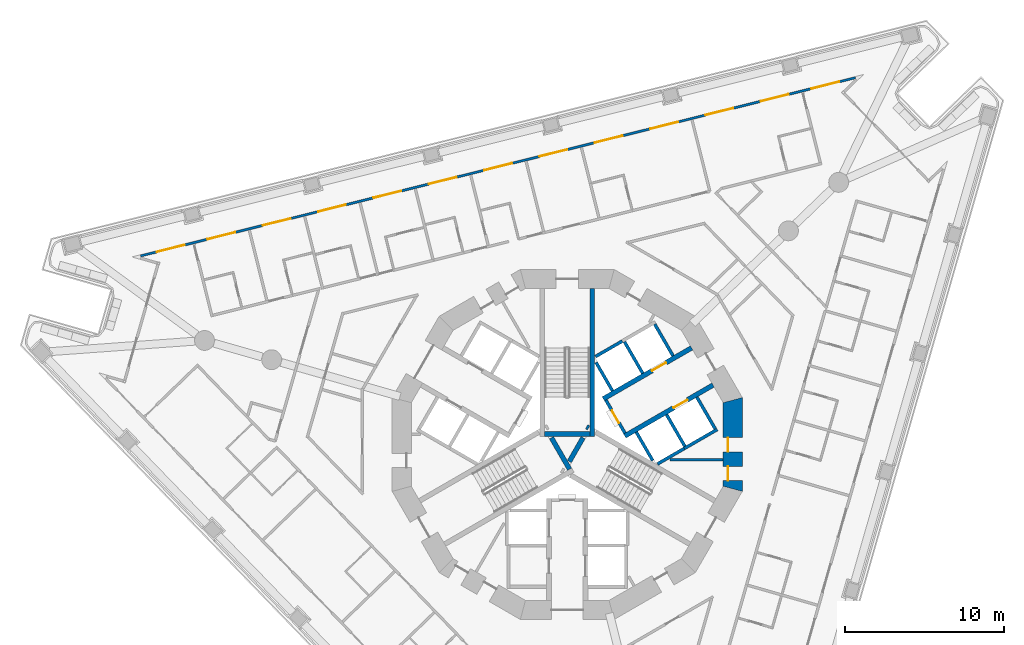
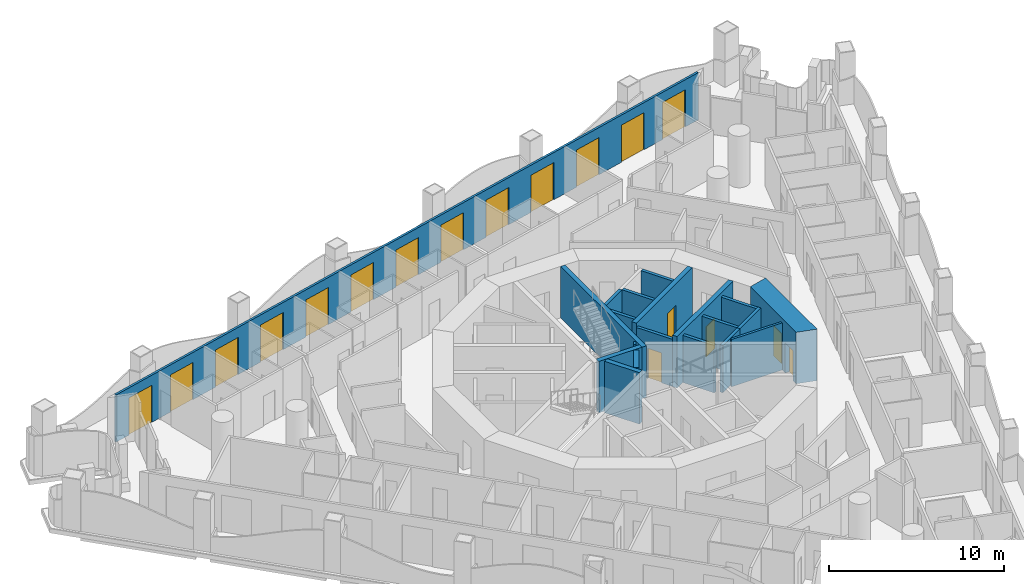
# One storey, part 9 of 20: 20 walls, 18 doors, 18 openings.
"""IFC4 building model written with IfcOpenShell, lengths in metres."""

from ifc_helpers import new_model, si_unit, direction, frame, frame_2d, origin, place, context, subcontext, project, spatial, polyline, rectangle, outline, extrude, material, layer, layer_set, type_object, element, fill, save


model = new_model("IFC4")

# Units and contexts
model_context = context("Model", 3, precision=1e-05, world=origin(), true_north=direction((0.0, 1.0)))
body_context = subcontext(model_context, "Body", "Model", "MODEL_VIEW")
ifc_project = project(units=[si_unit("LENGTHUNIT", "METRE"), si_unit("AREAUNIT", "SQUARE_METRE"), si_unit("VOLUMEUNIT", "CUBIC_METRE"), si_unit("PLANEANGLEUNIT", "RADIAN"), si_unit("MASSUNIT", "GRAM", prefix="KILO")], contexts=[model_context])

# Site, building, storey
site_placement = place(None, origin())
site = spatial("IfcSite", under=ifc_project, at=site_placement, CompositionType="ELEMENT")
building_placement = place(site_placement, origin())
building = spatial("IfcBuilding", under=site, at=building_placement, Name="Trine Commons Tower", CompositionType="ELEMENT")
storey_placement = place(building_placement, frame((0.0, 0.0, 112.5)))
storey = spatial("IfcBuildingStorey", under=building, at=storey_placement, Name="L28", CompositionType="ELEMENT", Elevation=112.5)

# Wall
ifc_material_1 = material(Name="Plasterboard partition on steel studs", Category="steel")
ifc_layer_1 = layer(ifc_material_1, 0.14990234375)
ifc_layer_set_1 = layer_set([ifc_layer_1], Name="Plasterboard partition on steel studs")
wall_type_1 = type_object("IfcWallType", Name="Core room partition 150 mm, EI 60", PredefinedType="PARTITIONING", material=ifc_layer_set_1)
wall_1_placement = place(storey_placement, frame((89.81201171875, 61.537109375, 0.0), z_axis=(0.0, 0.0, 1.0), x_axis=(-1.0, 0.0, 0.0)))
element("IfcWall", 1, at=wall_1_placement, inside=storey, type_object=wall_type_1, Name="Core room partition L28", PredefinedType="PARTITIONING", context=body_context, shape_type="SweptSolid", body=[
    extrude(rectangle(XDim=3.35107421875, YDim=0.14990234375, at=frame_2d((1.675537109375, 0.0))), origin(), (0.0, 0.0, 1.0), 3.300048828125),
])

# Wall, openings, doors
ifc_material_2 = material(Name="Aluminium-framed insulated wall panel", Category="aluminium")
ifc_layer_2 = layer(ifc_material_2, 0.14990234375)
ifc_layer_set_2 = layer_set([ifc_layer_2], Name="Aluminium-framed insulated wall panel")
wall_type_2 = type_object("IfcWallType", Name="Glazed frame wall 150, EI 60", PredefinedType="SOLIDWALL", material=ifc_layer_set_2)
wall_2_placement = place(storey_placement, frame((53.01416015625, 74.326904296875, 0.0), z_axis=(0.0, 0.0, 1.0), x_axis=(0.970295935704, 0.24192105563, 0.0)))
wall_2 = element("IfcWall", 2, at=wall_2_placement, inside=storey, type_object=wall_type_2, Name="Glazed frame wall F1", PredefinedType="SOLIDWALL", context=body_context, shape_type="SweptSolid", body=[
    extrude(outline(polyline([(0.1494140625, 0.074951171875), (0.1494140625, -0.074951171875), (46.496826171875, -0.074951171875), (46.496826171875, 0.074951171875), (0.1494140625, 0.074951171875)])), origin(), (0.0, 0.0, 1.0), 3.300048828125),
])
opening_1_placement = place(wall_2_placement, frame((1.194091796875, 0.0, 0.0)))
opening_1 = element("IfcOpeningElement", 3, at=opening_1_placement, cuts=wall_2, Name="Opening BD-3F1-01", PredefinedType="OPENING", context=body_context, shape_type="SweptSolid", body=[
    extrude(rectangle(XDim=1.800048828125, YDim=2.60009765625, at=frame_2d((0.89990234375, 1.300048828125))), frame((0.0, 0.0849609375, 0.0), z_axis=(0.0, -1.0, 0.0), x_axis=(1.0, 0.0, 0.0)), (0.0, 0.0, 1.0), 0.169921875),
])
opening_2_placement = place(wall_2_placement, frame((4.482421875, 0.0, 0.0)))
opening_2 = element("IfcOpeningElement", 4, at=opening_2_placement, cuts=wall_2, Name="Opening BD-3F1-02", PredefinedType="OPENING", context=body_context, shape_type="SweptSolid", body=[
    extrude(rectangle(XDim=1.800048828125, YDim=2.60009765625, at=frame_2d((0.89990234375, 1.300048828125))), frame((0.0, 0.0849609375, 0.0), z_axis=(0.0, -1.0, 0.0), x_axis=(1.0, 0.0, 0.0)), (0.0, 0.0, 1.0), 0.169921875),
])
opening_3_placement = place(wall_2_placement, frame((8.070556640625, 0.0, 0.0)))
opening_3 = element("IfcOpeningElement", 5, at=opening_3_placement, cuts=wall_2, Name="Opening BD-3F1-03", PredefinedType="OPENING", context=body_context, shape_type="SweptSolid", body=[
    extrude(rectangle(XDim=1.800048828125, YDim=2.60009765625, at=frame_2d((0.89990234375, 1.300048828125))), frame((0.0, 0.0849609375, 0.0), z_axis=(0.0, -1.0, 0.0), x_axis=(1.0, 0.0, 0.0)), (0.0, 0.0, 1.0), 0.169921875),
])
opening_4_placement = place(wall_2_placement, frame((11.65869140625, 0.0, 0.0)))
opening_4 = element("IfcOpeningElement", 6, at=opening_4_placement, cuts=wall_2, Name="Opening BD-3F1-04", PredefinedType="OPENING", context=body_context, shape_type="SweptSolid", body=[
    extrude(rectangle(XDim=1.800048828125, YDim=2.60009765625, at=frame_2d((0.89990234375, 1.300048828125))), frame((0.0, 0.0849609375, 0.0), z_axis=(0.0, -1.0, 0.0), x_axis=(1.0, 0.0, 0.0)), (0.0, 0.0, 1.0), 0.169921875),
])
opening_5_placement = place(wall_2_placement, frame((15.246826171875, 0.0, 0.0)))
opening_5 = element("IfcOpeningElement", 7, at=opening_5_placement, cuts=wall_2, Name="Opening BD-3F1-05", PredefinedType="OPENING", context=body_context, shape_type="SweptSolid", body=[
    extrude(rectangle(XDim=1.800048828125, YDim=2.60009765625, at=frame_2d((0.89990234375, 1.300048828125))), frame((0.0, 0.0849609375, 0.0), z_axis=(0.0, -1.0, 0.0), x_axis=(1.0, 0.0, 0.0)), (0.0, 0.0, 1.0), 0.169921875),
])
opening_6_placement = place(wall_2_placement, frame((18.835205078125, 0.0, 0.0)))
opening_6 = element("IfcOpeningElement", 8, at=opening_6_placement, cuts=wall_2, Name="Opening BD-3F1-06", PredefinedType="OPENING", context=body_context, shape_type="SweptSolid", body=[
    extrude(rectangle(XDim=1.800048828125, YDim=2.60009765625, at=frame_2d((0.89990234375, 1.300048828125))), frame((0.0, 0.0849609375, 0.0), z_axis=(0.0, -1.0, 0.0), x_axis=(1.0, 0.0, 0.0)), (0.0, 0.0, 1.0), 0.169921875),
])
opening_7_placement = place(wall_2_placement, frame((22.42333984375, 0.0, 0.0)))
opening_7 = element("IfcOpeningElement", 9, at=opening_7_placement, cuts=wall_2, Name="Opening BD-3F1-07", PredefinedType="OPENING", context=body_context, shape_type="SweptSolid", body=[
    extrude(rectangle(XDim=1.800048828125, YDim=2.60009765625, at=frame_2d((0.89990234375, 1.300048828125))), frame((0.0, 0.0849609375, 0.0), z_axis=(0.0, -1.0, 0.0), x_axis=(1.0, 0.0, 0.0)), (0.0, 0.0, 1.0), 0.169921875),
])
opening_8_placement = place(wall_2_placement, frame((26.011474609375, 0.0, 0.0)))
opening_8 = element("IfcOpeningElement", 10, at=opening_8_placement, cuts=wall_2, Name="Opening BD-3F1-08", PredefinedType="OPENING", context=body_context, shape_type="SweptSolid", body=[
    extrude(rectangle(XDim=1.800048828125, YDim=2.60009765625, at=frame_2d((0.89990234375, 1.300048828125))), frame((0.0, 0.0849609375, 0.0), z_axis=(0.0, -1.0, 0.0), x_axis=(1.0, 0.0, 0.0)), (0.0, 0.0, 1.0), 0.169921875),
])
opening_9_placement = place(wall_2_placement, frame((29.599609375, 0.0, 0.0)))
opening_9 = element("IfcOpeningElement", 11, at=opening_9_placement, cuts=wall_2, Name="Opening BD-3F1-09", PredefinedType="OPENING", context=body_context, shape_type="SweptSolid", body=[
    extrude(rectangle(XDim=1.800048828125, YDim=2.60009765625, at=frame_2d((0.89990234375, 1.300048828125))), frame((0.0, 0.0849609375, 0.0), z_axis=(0.0, -1.0, 0.0), x_axis=(1.0, 0.0, 0.0)), (0.0, 0.0, 1.0), 0.169921875),
])
opening_10_placement = place(wall_2_placement, frame((33.18798828125, 0.0, 0.0)))
opening_10 = element("IfcOpeningElement", 12, at=opening_10_placement, cuts=wall_2, Name="Opening BD-3F1-10", PredefinedType="OPENING", context=body_context, shape_type="SweptSolid", body=[
    extrude(rectangle(XDim=1.800048828125, YDim=2.60009765625, at=frame_2d((0.89990234375, 1.300048828125))), frame((0.0, 0.0849609375, 0.0), z_axis=(0.0, -1.0, 0.0), x_axis=(1.0, 0.0, 0.0)), (0.0, 0.0, 1.0), 0.169921875),
])
opening_11_placement = place(wall_2_placement, frame((36.776123046875, 0.0, 0.0)))
opening_11 = element("IfcOpeningElement", 13, at=opening_11_placement, cuts=wall_2, Name="Opening BD-3F1-11", PredefinedType="OPENING", context=body_context, shape_type="SweptSolid", body=[
    extrude(rectangle(XDim=1.800048828125, YDim=2.60009765625, at=frame_2d((0.89990234375, 1.300048828125))), frame((0.0, 0.0849609375, 0.0), z_axis=(0.0, -1.0, 0.0), x_axis=(1.0, 0.0, 0.0)), (0.0, 0.0, 1.0), 0.169921875),
])
opening_12_placement = place(wall_2_placement, frame((40.3642578125, 0.0, 0.0)))
opening_12 = element("IfcOpeningElement", 14, at=opening_12_placement, cuts=wall_2, Name="Opening BD-3F1-12", PredefinedType="OPENING", context=body_context, shape_type="SweptSolid", body=[
    extrude(rectangle(XDim=1.800048828125, YDim=2.60009765625, at=frame_2d((0.89990234375, 1.300048828125))), frame((0.0, 0.0849609375, 0.0), z_axis=(0.0, -1.0, 0.0), x_axis=(1.0, 0.0, 0.0)), (0.0, 0.0, 1.0), 0.169921875),
])
opening_13_placement = place(wall_2_placement, frame((43.652587890625, 0.0, 0.0)))
opening_13 = element("IfcOpeningElement", 15, at=opening_13_placement, cuts=wall_2, Name="Opening BD-3F1-13", PredefinedType="OPENING", context=body_context, shape_type="SweptSolid", body=[
    extrude(rectangle(XDim=1.800048828125, YDim=2.60009765625, at=frame_2d((0.89990234375, 1.300048828125))), frame((0.0, 0.0849609375, 0.0), z_axis=(0.0, -1.0, 0.0), x_axis=(1.0, 0.0, 0.0)), (0.0, 0.0, 1.0), 0.169921875),
])
ifc_material_3 = material(Name="Anodised aluminium frame with double glazing", Category="aluminium")
door_type_1 = type_object("IfcDoorType", Name="Sliding loggia door 1800x2600", OperationType="SLIDING_TO_LEFT", PredefinedType="DOOR", material=ifc_material_3)
door_1_placement = place(opening_1_placement, origin())
door_1 = element("IfcDoor", 16, at=door_1_placement, inside=storey, type_object=door_type_1, Name="Loggia door F1 1", OperationType="SLIDING_TO_LEFT", OverallHeight=2.60009765625, OverallWidth=1.800048828125, PredefinedType="DOOR", context=body_context, shape_type="SweptSolid", body=[
    extrude(rectangle(XDim=1.800048828125, YDim=2.60009765625, at=frame_2d((0.89990234375, 1.300048828125))), frame((0.0, 0.02490234375, 0.0), z_axis=(0.0, -1.0, 0.0), x_axis=(1.0, 0.0, 0.0)), (0.0, 0.0, 1.0), 0.050048828125),
])
fill(opening_1, door_1)
door_2_placement = place(opening_2_placement, origin())
door_2 = element("IfcDoor", 17, at=door_2_placement, inside=storey, type_object=door_type_1, Name="Loggia door F1 2", OperationType="SLIDING_TO_LEFT", OverallHeight=2.60009765625, OverallWidth=1.800048828125, PredefinedType="DOOR", context=body_context, shape_type="SweptSolid", body=[
    extrude(rectangle(XDim=1.800048828125, YDim=2.60009765625, at=frame_2d((0.89990234375, 1.300048828125))), frame((0.0, 0.02490234375, 0.0), z_axis=(0.0, -1.0, 0.0), x_axis=(1.0, 0.0, 0.0)), (0.0, 0.0, 1.0), 0.050048828125),
])
fill(opening_2, door_2)
door_3_placement = place(opening_3_placement, origin())
door_3 = element("IfcDoor", 18, at=door_3_placement, inside=storey, type_object=door_type_1, Name="Loggia door F1 3", OperationType="SLIDING_TO_LEFT", OverallHeight=2.60009765625, OverallWidth=1.800048828125, PredefinedType="DOOR", context=body_context, shape_type="SweptSolid", body=[
    extrude(rectangle(XDim=1.800048828125, YDim=2.60009765625, at=frame_2d((0.89990234375, 1.300048828125))), frame((0.0, 0.02490234375, 0.0), z_axis=(0.0, -1.0, 0.0), x_axis=(1.0, 0.0, 0.0)), (0.0, 0.0, 1.0), 0.050048828125),
])
fill(opening_3, door_3)
door_4_placement = place(opening_4_placement, origin())
door_4 = element("IfcDoor", 19, at=door_4_placement, inside=storey, type_object=door_type_1, Name="Loggia door F1 4", OperationType="SLIDING_TO_LEFT", OverallHeight=2.60009765625, OverallWidth=1.800048828125, PredefinedType="DOOR", context=body_context, shape_type="SweptSolid", body=[
    extrude(rectangle(XDim=1.800048828125, YDim=2.60009765625, at=frame_2d((0.89990234375, 1.300048828125))), frame((0.0, 0.02490234375, 0.0), z_axis=(0.0, -1.0, 0.0), x_axis=(1.0, 0.0, 0.0)), (0.0, 0.0, 1.0), 0.050048828125),
])
fill(opening_4, door_4)
door_5_placement = place(opening_5_placement, origin())
door_5 = element("IfcDoor", 20, at=door_5_placement, inside=storey, type_object=door_type_1, Name="Loggia door F1 5", OperationType="SLIDING_TO_LEFT", OverallHeight=2.60009765625, OverallWidth=1.800048828125, PredefinedType="DOOR", context=body_context, shape_type="SweptSolid", body=[
    extrude(rectangle(XDim=1.800048828125, YDim=2.60009765625, at=frame_2d((0.89990234375, 1.300048828125))), frame((0.0, 0.02490234375, 0.0), z_axis=(0.0, -1.0, 0.0), x_axis=(1.0, 0.0, 0.0)), (0.0, 0.0, 1.0), 0.050048828125),
])
fill(opening_5, door_5)
door_6_placement = place(opening_6_placement, origin())
door_6 = element("IfcDoor", 21, at=door_6_placement, inside=storey, type_object=door_type_1, Name="Loggia door F1 6", OperationType="SLIDING_TO_LEFT", OverallHeight=2.60009765625, OverallWidth=1.800048828125, PredefinedType="DOOR", context=body_context, shape_type="SweptSolid", body=[
    extrude(rectangle(XDim=1.800048828125, YDim=2.60009765625, at=frame_2d((0.89990234375, 1.300048828125))), frame((0.0, 0.02490234375, 0.0), z_axis=(0.0, -1.0, 0.0), x_axis=(1.0, 0.0, 0.0)), (0.0, 0.0, 1.0), 0.050048828125),
])
fill(opening_6, door_6)
door_7_placement = place(opening_7_placement, origin())
door_7 = element("IfcDoor", 22, at=door_7_placement, inside=storey, type_object=door_type_1, Name="Loggia door F1 7", OperationType="SLIDING_TO_LEFT", OverallHeight=2.60009765625, OverallWidth=1.800048828125, PredefinedType="DOOR", context=body_context, shape_type="SweptSolid", body=[
    extrude(rectangle(XDim=1.800048828125, YDim=2.60009765625, at=frame_2d((0.89990234375, 1.300048828125))), frame((0.0, 0.02490234375, 0.0), z_axis=(0.0, -1.0, 0.0), x_axis=(1.0, 0.0, 0.0)), (0.0, 0.0, 1.0), 0.050048828125),
])
fill(opening_7, door_7)
door_8_placement = place(opening_8_placement, origin())
door_8 = element("IfcDoor", 23, at=door_8_placement, inside=storey, type_object=door_type_1, Name="Loggia door F1 8", OperationType="SLIDING_TO_LEFT", OverallHeight=2.60009765625, OverallWidth=1.800048828125, PredefinedType="DOOR", context=body_context, shape_type="SweptSolid", body=[
    extrude(rectangle(XDim=1.800048828125, YDim=2.60009765625, at=frame_2d((0.89990234375, 1.300048828125))), frame((0.0, 0.02490234375, 0.0), z_axis=(0.0, -1.0, 0.0), x_axis=(1.0, 0.0, 0.0)), (0.0, 0.0, 1.0), 0.050048828125),
])
fill(opening_8, door_8)
door_9_placement = place(opening_9_placement, origin())
door_9 = element("IfcDoor", 24, at=door_9_placement, inside=storey, type_object=door_type_1, Name="Loggia door F1 9", OperationType="SLIDING_TO_LEFT", OverallHeight=2.60009765625, OverallWidth=1.800048828125, PredefinedType="DOOR", context=body_context, shape_type="SweptSolid", body=[
    extrude(rectangle(XDim=1.800048828125, YDim=2.60009765625, at=frame_2d((0.89990234375, 1.300048828125))), frame((0.0, 0.02490234375, 0.0), z_axis=(0.0, -1.0, 0.0), x_axis=(1.0, 0.0, 0.0)), (0.0, 0.0, 1.0), 0.050048828125),
])
fill(opening_9, door_9)
door_10_placement = place(opening_10_placement, origin())
door_10 = element("IfcDoor", 25, at=door_10_placement, inside=storey, type_object=door_type_1, Name="Loggia door F1 10", OperationType="SLIDING_TO_LEFT", OverallHeight=2.60009765625, OverallWidth=1.800048828125, PredefinedType="DOOR", context=body_context, shape_type="SweptSolid", body=[
    extrude(rectangle(XDim=1.800048828125, YDim=2.60009765625, at=frame_2d((0.89990234375, 1.300048828125))), frame((0.0, 0.02490234375, 0.0), z_axis=(0.0, -1.0, 0.0), x_axis=(1.0, 0.0, 0.0)), (0.0, 0.0, 1.0), 0.050048828125),
])
fill(opening_10, door_10)
door_11_placement = place(opening_11_placement, origin())
door_11 = element("IfcDoor", 26, at=door_11_placement, inside=storey, type_object=door_type_1, Name="Loggia door F1 11", OperationType="SLIDING_TO_LEFT", OverallHeight=2.60009765625, OverallWidth=1.800048828125, PredefinedType="DOOR", context=body_context, shape_type="SweptSolid", body=[
    extrude(rectangle(XDim=1.800048828125, YDim=2.60009765625, at=frame_2d((0.89990234375, 1.300048828125))), frame((0.0, 0.02490234375, 0.0), z_axis=(0.0, -1.0, 0.0), x_axis=(1.0, 0.0, 0.0)), (0.0, 0.0, 1.0), 0.050048828125),
])
fill(opening_11, door_11)
door_12_placement = place(opening_12_placement, origin())
door_12 = element("IfcDoor", 27, at=door_12_placement, inside=storey, type_object=door_type_1, Name="Loggia door F1 12", OperationType="SLIDING_TO_LEFT", OverallHeight=2.60009765625, OverallWidth=1.800048828125, PredefinedType="DOOR", context=body_context, shape_type="SweptSolid", body=[
    extrude(rectangle(XDim=1.800048828125, YDim=2.60009765625, at=frame_2d((0.89990234375, 1.300048828125))), frame((0.0, 0.02490234375, 0.0), z_axis=(0.0, -1.0, 0.0), x_axis=(1.0, 0.0, 0.0)), (0.0, 0.0, 1.0), 0.050048828125),
])
fill(opening_12, door_12)
door_13_placement = place(opening_13_placement, origin())
door_13 = element("IfcDoor", 28, at=door_13_placement, inside=storey, type_object=door_type_1, Name="Loggia door F1 13", OperationType="SLIDING_TO_LEFT", OverallHeight=2.60009765625, OverallWidth=1.800048828125, PredefinedType="DOOR", context=body_context, shape_type="SweptSolid", body=[
    extrude(rectangle(XDim=1.800048828125, YDim=2.60009765625, at=frame_2d((0.89990234375, 1.300048828125))), frame((0.0, 0.02490234375, 0.0), z_axis=(0.0, -1.0, 0.0), x_axis=(1.0, 0.0, 0.0)), (0.0, 0.0, 1.0), 0.050048828125),
])
fill(opening_13, door_13)

# Wall, opening, door
ifc_material_4 = material(Name="Fire-rated gypsum shaft wall system")
ifc_layer_3 = layer(ifc_material_4, 0.199951171875)
ifc_layer_set_3 = layer_set([ifc_layer_3], Name="Fire-rated gypsum shaft wall system")
wall_type_3 = type_object("IfcWallType", Name="Lobby end wall 200 mm, EI 120", PredefinedType="PARTITIONING", material=ifc_layer_set_3)
wall_3_placement = place(storey_placement, frame((83.631103515625, 63.2109375, 0.0), z_axis=(0.0, 0.0, 1.0), x_axis=(-0.50012165622, 0.865955154139, 0.0)))
wall_3 = element("IfcWall", 29, at=wall_3_placement, inside=storey, type_object=wall_type_3, Name="Lobby end wall L28", PredefinedType="PARTITIONING", context=body_context, shape_type="SweptSolid", body=[
    extrude(rectangle(XDim=2.39990234375, YDim=0.199951171875, at=frame_2d((1.199951171875, 0.0))), origin(), (0.0, 0.0, 1.0), 3.300048828125),
])
opening_14_placement = place(wall_3_placement, frame((0.749755859375, 0.0, 0.0)))
opening_14 = element("IfcOpeningElement", 30, at=opening_14_placement, cuts=wall_3, Name="Opening K07.05", PredefinedType="OPENING", context=body_context, shape_type="SweptSolid", body=[
    extrude(rectangle(XDim=0.89990234375, YDim=2.10009765625, at=frame_2d((0.449951171875, 1.050048828125))), frame((0.0, 0.10986328125, 0.0), z_axis=(0.0, -1.0, 0.0), x_axis=(1.0, 0.0, 0.0)), (0.0, 0.0, 1.0), 0.219970703125),
])
ifc_material_5 = material(Name="Steel door leaf, fire-rated", Category="steel")
door_type_2 = type_object("IfcDoorType", Name="Riser access door, single leaf 900 x 2100, FD60", OperationType="SINGLE_SWING_LEFT", PredefinedType="DOOR", material=ifc_material_5)
door_14_placement = place(opening_14_placement, frame((0.89990234375, 0.0, 0.0), z_axis=(0.0, 0.0, 1.0), x_axis=(-1.0, 0.0, 0.0)))
door_14 = element("IfcDoor", 31, at=door_14_placement, inside=storey, type_object=door_type_2, Name="Riser door, Electrical riser L28", OperationType="SINGLE_SWING_LEFT", OverallHeight=2.10009765625, OverallWidth=0.89990234375, PredefinedType="DOOR", context=body_context, shape_type="SweptSolid", body=[
    extrude(rectangle(XDim=0.89990234375, YDim=2.10009765625, at=frame_2d((0.449951171875, 1.050048828125))), frame((0.0, 0.02490234375, 0.0), z_axis=(0.0, -1.0, 0.0), x_axis=(1.0, 0.0, 0.0)), (0.0, 0.0, 1.0), 0.050048828125),
])
fill(opening_14, door_14)

# Wall, openings, doors
ifc_material_6 = material(Name="Concrete C70/85", Category="concrete")
ifc_layer_4 = layer(ifc_material_6, 1.199951171875)
ifc_layer_set_4 = layer_set([ifc_layer_4], Name="Concrete C70/85")
wall_type_4 = type_object("IfcWallType", Name="RC shear wall 1200 mm, C70/85", PredefinedType="SHEAR", material=ifc_layer_set_4)
wall_4_placement = place(storey_placement, frame((90.41162109375, 59.549560546875, 0.0), z_axis=(0.0, 0.0, 1.0), x_axis=(0.0, 1.0, 0.0)))
wall_4 = element("IfcWall", 32, at=wall_4_placement, inside=storey, type_object=wall_type_4, Name="Core wall CWC-01 L28", PredefinedType="SHEAR", context=body_context, shape_type="SweptSolid", body=[
    extrude(outline(polyline([(0.0, -0.60009765625), (5.90087890625, -0.60009765625), (5.57958984375, 0.60009765625), (0.321533203125, 0.60009765625), (0.0, -0.60009765625)])), origin(), (0.0, 0.0, 1.0), 3.60009765625),
])
opening_15_placement = place(wall_4_placement, frame((0.675537109375, 0.0, 0.0)))
opening_15 = element("IfcOpeningElement", 33, at=opening_15_placement, cuts=wall_4, Name="Opening K07.18", PredefinedType="OPENING", context=body_context, shape_type="SweptSolid", body=[
    extrude(rectangle(XDim=0.89990234375, YDim=2.10009765625, at=frame_2d((0.449951171875, 1.050048828125))), frame((0.0, 0.60986328125, 0.0), z_axis=(0.0, -1.0, 0.0), x_axis=(1.0, 0.0, 0.0)), (0.0, 0.0, 1.0), 1.219970703125),
])
opening_16_placement = place(wall_4_placement, frame((2.487548828125, 0.0, 0.0)))
opening_16 = element("IfcOpeningElement", 34, at=opening_16_placement, cuts=wall_4, Name="Opening K07.19", PredefinedType="OPENING", context=body_context, shape_type="SweptSolid", body=[
    extrude(rectangle(XDim=0.89990234375, YDim=2.10009765625, at=frame_2d((0.449951171875, 1.050048828125))), frame((0.0, 0.60986328125, 0.0), z_axis=(0.0, -1.0, 0.0), x_axis=(1.0, 0.0, 0.0)), (0.0, 0.0, 1.0), 1.219970703125),
])
door_type_3 = type_object("IfcDoorType", Name="Core room door, single leaf 900 x 2100, FD30S", OperationType="SINGLE_SWING_LEFT", PredefinedType="DOOR", material=ifc_material_5)
door_15_placement = place(opening_15_placement, origin())
door_15 = element("IfcDoor", 35, at=door_15_placement, inside=storey, type_object=door_type_3, Name="Door to Parcel store L28", OperationType="SINGLE_SWING_LEFT", OverallHeight=2.10009765625, OverallWidth=0.89990234375, PredefinedType="DOOR", context=body_context, shape_type="SweptSolid", body=[
    extrude(rectangle(XDim=0.89990234375, YDim=2.10009765625, at=frame_2d((0.449951171875, 1.050048828125))), frame((0.0, 0.3251953125, 0.0), z_axis=(0.0, -1.0, 0.0), x_axis=(1.0, 0.0, 0.0)), (0.0, 0.0, 1.0), 0.050048828125),
])
fill(opening_15, door_15)
door_16_placement = place(opening_16_placement, origin())
door_16 = element("IfcDoor", 36, at=door_16_placement, inside=storey, type_object=door_type_3, Name="Door to Print room L28", OperationType="SINGLE_SWING_LEFT", OverallHeight=2.10009765625, OverallWidth=0.89990234375, PredefinedType="DOOR", context=body_context, shape_type="SweptSolid", body=[
    extrude(rectangle(XDim=0.89990234375, YDim=2.10009765625, at=frame_2d((0.449951171875, 1.050048828125))), frame((0.0, 0.3251953125, 0.0), z_axis=(0.0, -1.0, 0.0), x_axis=(1.0, 0.0, 0.0)), (0.0, 0.0, 1.0), 0.050048828125),
])
fill(opening_16, door_16)

# Wall, opening, door
ifc_layer_5 = layer(ifc_material_6, 0.300048828125)
ifc_layer_set_5 = layer_set([ifc_layer_5], Name="Concrete C70/85")
wall_type_5 = type_object("IfcWallType", Name="RC shear wall 300 mm, C70/85", PredefinedType="SHEAR", material=ifc_layer_set_5)
wall_5_placement = place(storey_placement, frame((82.26904296875, 65.368896484375, 0.0), z_axis=(0.0, 0.0, 1.0), x_axis=(0.866022631842, 0.500004801114, 0.0)))
wall_5 = element("IfcWall", 37, at=wall_5_placement, inside=storey, type_object=wall_type_5, Name="Core cross wall SWA-05 L28", PredefinedType="SHEAR", context=body_context, shape_type="SweptSolid", body=[
    extrude(rectangle(XDim=6.412109375, YDim=0.300048828125, at=frame_2d((3.2060546875, 0.0))), origin(), (0.0, 0.0, 1.0), 3.60009765625),
])
opening_17_placement = place(wall_5_placement, frame((3.55029296875, 0.0, 0.0)))
opening_17 = element("IfcOpeningElement", 38, at=opening_17_placement, cuts=wall_5, Name="Opening LD1", PredefinedType="OPENING", context=body_context, shape_type="SweptSolid", body=[
    extrude(rectangle(XDim=1.0, YDim=2.10009765625, at=frame_2d((0.5, 1.050048828125))), frame((0.0, 0.159912109375, 0.0), z_axis=(0.0, -1.0, 0.0), x_axis=(1.0, 0.0, 0.0)), (0.0, 0.0, 1.0), 0.320068359375),
])
ifc_material_7 = material(Name="Stainless steel sliding door leaves", Category="steel")
door_type_4 = type_object("IfcDoorType", Name="Lift landing door, centre-opening sliding 1000 x 2100, FD90", OperationType="DOUBLE_DOOR_SLIDING", PredefinedType="DOOR", material=ifc_material_7)
door_17_placement = place(opening_17_placement, origin())
door_17 = element("IfcDoor", 39, at=door_17_placement, inside=storey, type_object=door_type_4, Name="Lift landing door LR1 L28", OperationType="DOUBLE_DOOR_SLIDING", OverallHeight=2.10009765625, OverallWidth=1.0, PredefinedType="DOOR", context=body_context, shape_type="SweptSolid", body=[
    extrude(rectangle(XDim=1.0, YDim=2.10009765625, at=frame_2d((0.5, 1.050048828125))), frame((0.0, 0.02490234375, 0.0), z_axis=(0.0, -1.0, 0.0), x_axis=(1.0, 0.0, 0.0)), (0.0, 0.0, 1.0), 0.050048828125),
])
fill(opening_17, door_17)

wall_6_placement = place(storey_placement, frame((83.618896484375, 63.031005859375, 0.0), z_axis=(0.0, 0.0, 1.0), x_axis=(0.866032150378, 0.499988314375, 0.0)))
wall_6 = element("IfcWall", 40, at=wall_6_placement, inside=storey, type_object=wall_type_5, Name="Core cross wall SWA-06 L28", PredefinedType="SHEAR", context=body_context, shape_type="SweptSolid", body=[
    extrude(rectangle(XDim=6.412353515625, YDim=0.300048828125, at=frame_2d((3.2060546875, 0.0))), origin(), (0.0, 0.0, 1.0), 3.60009765625),
])
opening_18_placement = place(wall_6_placement, frame((3.55029296875, 0.0, 0.0)))
opening_18 = element("IfcOpeningElement", 41, at=opening_18_placement, cuts=wall_6, Name="Opening LD2", PredefinedType="OPENING", context=body_context, shape_type="SweptSolid", body=[
    extrude(rectangle(XDim=1.0, YDim=2.10009765625, at=frame_2d((0.5, 1.050048828125))), frame((0.0, 0.159912109375, 0.0), z_axis=(0.0, -1.0, 0.0), x_axis=(1.0, 0.0, 0.0)), (0.0, 0.0, 1.0), 0.320068359375),
])
door_18_placement = place(opening_18_placement, origin())
door_18 = element("IfcDoor", 42, at=door_18_placement, inside=storey, type_object=door_type_4, Name="Lift landing door LR2 L28", OperationType="DOUBLE_DOOR_SLIDING", OverallHeight=2.10009765625, OverallWidth=1.0, PredefinedType="DOOR", context=body_context, shape_type="SweptSolid", body=[
    extrude(rectangle(XDim=1.0, YDim=2.10009765625, at=frame_2d((0.5, 1.050048828125))), frame((0.0, 0.02490234375, 0.0), z_axis=(0.0, -1.0, 0.0), x_axis=(1.0, 0.0, 0.0)), (0.0, 0.0, 1.0), 0.050048828125),
])
fill(opening_18, door_18)

# Walls
wall_7_placement = place(storey_placement, frame((79.0029296875, 62.926025390625, 0.0), z_axis=(0.0, 0.0, 1.0), x_axis=(0.499965247104, -0.866045467449, 0.0)))
element("IfcWall", 43, at=wall_7_placement, inside=storey, type_object=wall_type_5, Name="Core cross wall SWA-10 L28", PredefinedType="SHEAR", context=body_context, shape_type="SweptSolid", body=[
    extrude(rectangle(XDim=2.292236328125, YDim=0.300048828125, at=frame_2d((1.14599609375, 0.0))), origin(), (0.0, 0.0, 1.0), 3.60009765625),
])
wall_8_placement = place(storey_placement, frame((80.1298828125, 61.424072265625, 0.0), z_axis=(0.0, 0.0, 1.0), x_axis=(0.500014901547, 0.866016800201, 0.0)))
element("IfcWall", 44, at=wall_8_placement, inside=storey, type_object=wall_type_5, Name="Core cross wall SWA-12 L28", PredefinedType="SHEAR", context=body_context, shape_type="SweptSolid", body=[
    extrude(rectangle(XDim=1.734375, YDim=0.300048828125, at=frame_2d((0.8671875, 0.0))), origin(), (0.0, 0.0, 1.0), 3.60009765625),
])
wall_9_placement = place(storey_placement, frame((81.220947265625, 63.614013671875, 0.0), z_axis=(0.0, 0.0, 1.0), x_axis=(0.867737973955, -0.497021939713, 0.0)))
element("IfcWall", 45, at=wall_9_placement, inside=storey, type_object=wall_type_5, Name="Core cross wall SWA-15 L28", PredefinedType="SHEAR", context=body_context, shape_type="SweptSolid", body=[
    extrude(rectangle(XDim=0.14892578125, YDim=0.300048828125, at=frame_2d((0.074462890625, 0.0))), origin(), (0.0, 0.0, 1.0), 3.60009765625),
])
wall_10_placement = place(storey_placement, frame((81.425048828125, 63.15087890625, 0.0), z_axis=(0.0, 0.0, 1.0), x_axis=(-1.0, 0.0, 0.0)))
element("IfcWall", 46, at=wall_10_placement, inside=storey, type_object=wall_type_5, Name="Core cross wall SWA-16 L28", PredefinedType="SHEAR", context=body_context, shape_type="SweptSolid", body=[
    extrude(rectangle(XDim=2.85009765625, YDim=0.300048828125, at=frame_2d((1.425048828125, 0.0))), origin(), (0.0, 0.0, 1.0), 3.60009765625),
])
wall_11_placement = place(storey_placement, frame((81.574951171875, 63.0009765625, 0.0), z_axis=(0.0, 0.0, 1.0), x_axis=(0.0, 1.0, 0.0)))
element("IfcWall", 47, at=wall_11_placement, inside=storey, type_object=wall_type_5, Name="Core cross wall SWA-17 L28", PredefinedType="SHEAR", context=body_context, shape_type="SweptSolid", body=[
    extrude(rectangle(XDim=9.31103515625, YDim=0.300048828125, at=frame_2d((4.655517578125, 0.0))), origin(), (0.0, 0.0, 1.0), 3.60009765625),
])
ifc_layer_6 = layer(ifc_material_4, 0.199951171875)
ifc_layer_set_6 = layer_set([ifc_layer_6], Name="Fire-rated gypsum shaft wall system")
wall_type_6 = type_object("IfcWallType", Name="Shaft wall 200 mm, EI 120", PredefinedType="PARTITIONING", material=ifc_layer_set_6)
wall_12_placement = place(storey_placement, frame((81.77490234375, 68.028076171875, 0.0), z_axis=(0.0, 0.0, 1.0), x_axis=(0.866052014814, 0.499953905513, 0.0)))
element("IfcWall", 48, at=wall_12_placement, inside=storey, type_object=wall_type_6, Name="Shaft wall L28", PredefinedType="PARTITIONING", context=body_context, shape_type="SweptSolid", body=[
    extrude(rectangle(XDim=1.947998046875, YDim=0.199951171875, at=frame_2d((0.97412109375, 0.0))), origin(), (0.0, 0.0, 1.0), 3.300048828125),
])
wall_13_placement = place(storey_placement, frame((82.843994140625, 65.8740234375, 0.0), z_axis=(0.0, 0.0, 1.0), x_axis=(-0.499865770674, 0.866102887253, 0.0)))
element("IfcWall", 49, at=wall_13_placement, inside=storey, type_object=wall_type_6, Name="Shaft wall L28", PredefinedType="PARTITIONING", context=body_context, shape_type="SweptSolid", body=[
    extrude(rectangle(XDim=2.064453125, YDim=0.199951171875, at=frame_2d((1.0322265625, 0.0))), origin(), (0.0, 0.0, 1.0), 3.300048828125),
])
wall_14_placement = place(storey_placement, frame((84.343994140625, 63.27587890625, 0.0), z_axis=(0.0, 0.0, 1.0), x_axis=(0.500271688072, -0.86586848777, 0.0)))
element("IfcWall", 50, at=wall_14_placement, inside=storey, type_object=wall_type_6, Name="Shaft wall L28", PredefinedType="PARTITIONING", context=body_context, shape_type="SweptSolid", body=[
    extrude(rectangle(XDim=2.064697265625, YDim=0.199951171875, at=frame_2d((1.0322265625, 0.0))), origin(), (0.0, 0.0, 1.0), 3.300048828125),
])
wall_15_placement = place(storey_placement, frame((84.7490234375, 66.97412109375, 0.0), z_axis=(0.0, 0.0, 1.0), x_axis=(-0.500136062276, 0.86594683394, 0.0)))
element("IfcWall", 51, at=wall_15_placement, inside=storey, type_object=wall_type_6, Name="Shaft wall L28", PredefinedType="PARTITIONING", context=body_context, shape_type="SweptSolid", body=[
    extrude(rectangle(XDim=2.299072265625, YDim=0.199951171875, at=frame_2d((1.1494140625, 0.0))), origin(), (0.0, 0.0, 1.0), 3.300048828125),
])
wall_16_placement = place(storey_placement, frame((85.675048828125, 61.27294921875, 0.0), z_axis=(0.0, 0.0, 1.0), x_axis=(0.865780634835, 0.500423712812, 0.0)))
element("IfcWall", 52, at=wall_16_placement, inside=storey, type_object=wall_type_6, Name="Shaft wall L28", PredefinedType="PARTITIONING", context=body_context, shape_type="SweptSolid", body=[
    extrude(rectangle(XDim=1.948486328125, YDim=0.199951171875, at=frame_2d((0.97412109375, 0.0))), origin(), (0.0, 0.0, 1.0), 3.300048828125),
])
wall_17_placement = place(storey_placement, frame((86.2490234375, 64.3759765625, 0.0), z_axis=(0.0, 0.0, 1.0), x_axis=(0.500136062276, -0.86594683394, 0.0)))
element("IfcWall", 53, at=wall_17_placement, inside=storey, type_object=wall_type_6, Name="Shaft wall L28", PredefinedType="PARTITIONING", context=body_context, shape_type="SweptSolid", body=[
    extrude(rectangle(XDim=2.299072265625, YDim=0.199951171875, at=frame_2d((1.1494140625, 0.0))), origin(), (0.0, 0.0, 1.0), 3.300048828125),
])
wall_18_placement = place(storey_placement, frame((86.655029296875, 68.073974609375, 0.0), z_axis=(0.0, 0.0, 1.0), x_axis=(-0.500215680983, 0.865900844496, 0.0)))
element("IfcWall", 54, at=wall_18_placement, inside=storey, type_object=wall_type_6, Name="Shaft wall L28", PredefinedType="PARTITIONING", context=body_context, shape_type="SweptSolid", body=[
    extrude(rectangle(XDim=2.29931640625, YDim=0.199951171875, at=frame_2d((1.149658203125, 0.0))), origin(), (0.0, 0.0, 1.0), 3.300048828125),
])
wall_19_placement = place(storey_placement, frame((87.362060546875, 62.248046875, 0.0), z_axis=(0.0, 0.0, 1.0), x_axis=(0.866177122335, 0.499737123639, 0.0)))
element("IfcWall", 55, at=wall_19_placement, inside=storey, type_object=wall_type_6, Name="Shaft wall L28", PredefinedType="PARTITIONING", context=body_context, shape_type="SweptSolid", body=[
    extrude(rectangle(XDim=2.401123046875, YDim=0.199951171875, at=frame_2d((1.20068359375, 0.0))), origin(), (0.0, 0.0, 1.0), 3.300048828125),
])
wall_20_placement = place(storey_placement, frame((88.155029296875, 65.47607421875, 0.0), z_axis=(0.0, 0.0, 1.0), x_axis=(0.500136062276, -0.86594683394, 0.0)))
element("IfcWall", 56, at=wall_20_placement, inside=storey, type_object=wall_type_6, Name="Shaft wall L28", PredefinedType="PARTITIONING", context=body_context, shape_type="SweptSolid", body=[
    extrude(rectangle(XDim=2.299072265625, YDim=0.199951171875, at=frame_2d((1.1494140625, 0.0))), origin(), (0.0, 0.0, 1.0), 3.300048828125),
])

save(model, "model.ifc")
